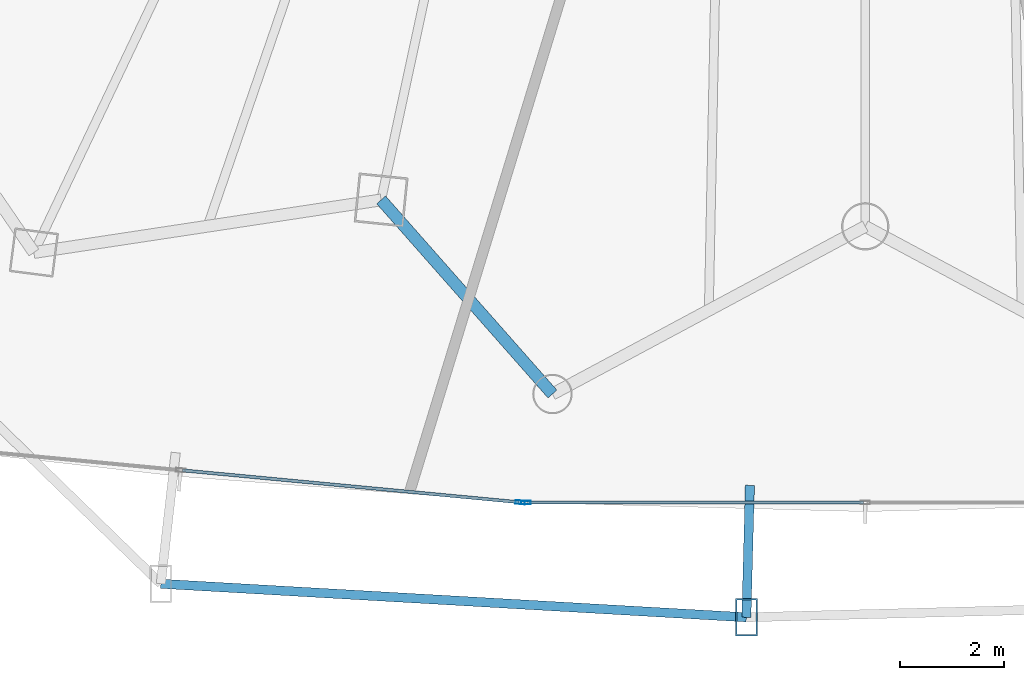
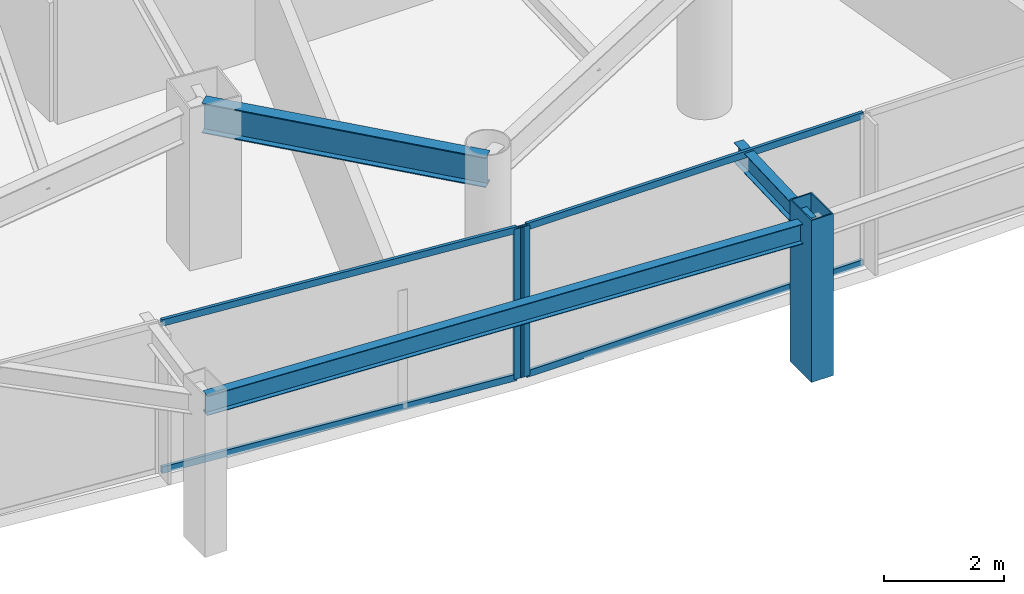
# One storey, part 6 of 38: 7 members, 3 beams, 2 elements without a shape of their own.
"""IFC4 building model written with IfcOpenShell, lengths in metres."""

from ifc_helpers import new_model, si_unit, direction, frame, origin, origin_2d, place, context, subcontext, project, spatial, hollow_rectangle, i_section, extrude, material, layer, layer_set, material_profile, profile_set, type_object, element, aggregate, save


model = new_model("IFC4")

# Units and contexts
model_context = context("Model", 3, precision=1e-05, world=origin(), true_north=direction((0.0, 1.0)))
body_context = subcontext(model_context, "Body", "Model", "MODEL_VIEW")
ifc_project = project(units=[si_unit("LENGTHUNIT", "METRE"), si_unit("AREAUNIT", "SQUARE_METRE"), si_unit("VOLUMEUNIT", "CUBIC_METRE"), si_unit("PLANEANGLEUNIT", "RADIAN"), si_unit("MASSUNIT", "GRAM", prefix="KILO")], contexts=[model_context])

# Site, building, storey
site_placement = place(None, origin())
site = spatial("IfcSite", under=ifc_project, at=site_placement, CompositionType="ELEMENT")
building_placement = place(site_placement, origin())
building = spatial("IfcBuilding", under=site, at=building_placement, Name="Orvanel Arch Residences", CompositionType="ELEMENT")
storey_placement = place(building_placement, frame((0.0, 0.0, 43.39990234375)))
storey = spatial("IfcBuildingStorey", under=building, at=storey_placement, Name="L11", CompositionType="ELEMENT", Elevation=43.39990234375)

# Member
ifc_material_1 = material(Name="Structural steel AS/NZS 3678 Grade 350", Category="steel")
ifc_material_profile_1 = material_profile(ifc_material_1, hollow_rectangle(XDim=0.419921875, YDim=0.719970703125, WallThickness=0.02490234375, at=origin_2d()), Name="RHS720x420x25")
ifc_profile_set_1 = profile_set([ifc_material_profile_1], Name="Structural steel AS/NZS 3678 Grade 350")
member_type_1 = type_object("IfcMemberType", Name="CH-720RHS-EXT", PredefinedType="CHORD", material=ifc_profile_set_1)
member_1_placement = place(storey_placement, frame((30.7041015625, -0.7080078125, 0.0), z_axis=(0.0, 0.0, 1.0), x_axis=(1.0, 0.0, 0.0)))
element("IfcMember", 1, at=member_1_placement, inside=storey, type_object=member_type_1, Name="L11 Outer Perimeter Frame Post 06", PredefinedType="CHORD", context=body_context, shape_type="SweptSolid", body=[
    extrude(hollow_rectangle(XDim=0.419921875, YDim=0.719970703125, WallThickness=0.02490234375, at=origin_2d()), origin(), (0.0, 0.0, 1.0), 3.300048828125),
])

# Curtain wall, member
ifc_material_2 = material(Name="Bronze-anodised aluminium AA6063-T6", Category="aluminium")
ifc_layer = layer(ifc_material_2, 0.179931640625)
ifc_layer_set = layer_set([ifc_layer], Name="Bronze-anodised aluminium AA6063-T6")
curtain_wall_type = type_object("IfcCurtainWallType", Name="CW2-LOW-SYS", PredefinedType="NOTDEFINED", material=ifc_layer_set)
curtain_wall_1_placement = place(storey_placement, origin())
curtain_wall_1 = element("IfcCurtainWall", 2, at=curtain_wall_1_placement, inside=storey, type_object=curtain_wall_type, Name="L11 CW2-LOW-SYS Unitised Curtain Wall", PredefinedType="NOTDEFINED")
ifc_material_profile_2 = material_profile(ifc_material_2, hollow_rectangle(XDim=0.070068359375, YDim=0.179931640625, WallThickness=0.00439453125, at=origin_2d()), Name="ALU180x70x4.5")
ifc_profile_set_2 = profile_set([ifc_material_profile_2], Name="Bronze-anodised aluminium AA6063-T6")
member_type_2 = type_object("IfcMemberType", Name="MUL-180x70", PredefinedType="MULLION", material=ifc_profile_set_2)
member_2_placement = place(storey_placement, frame((26.334228515625, 1.51318359375, 0.0), z_axis=(0.0, 0.0, 1.0), x_axis=(0.094246004419, 0.995548939355, 0.0)))
member_2 = element("IfcMember", 3, at=member_2_placement, type_object=member_type_2, Name="CW-S2 mullion 3", PredefinedType="MULLION", context=body_context, shape_type="SweptSolid", body=[
    extrude(hollow_rectangle(XDim=0.070068359375, YDim=0.179931640625, WallThickness=0.00439453125, at=origin_2d()), origin(), (0.0, 0.0, 1.0), 3.06005859375),
])

curtain_wall_2_placement = place(storey_placement, origin())
curtain_wall_2 = element("IfcCurtainWall", 4, at=curtain_wall_2_placement, inside=storey, type_object=curtain_wall_type, Name="L11 CW2-LOW-SYS Unitised Curtain Wall", PredefinedType="NOTDEFINED")
member_3_placement = place(storey_placement, frame((26.444091796875, 1.508056640625, 0.0), z_axis=(0.0, 0.0, 1.0), x_axis=(0.0, 1.0, 0.0)))
member_3 = element("IfcMember", 5, at=member_3_placement, type_object=member_type_2, Name="CW-S2 mullion 1", PredefinedType="MULLION", context=body_context, shape_type="SweptSolid", body=[
    extrude(hollow_rectangle(XDim=0.070068359375, YDim=0.179931640625, WallThickness=0.00439453125, at=origin_2d()), origin(), (0.0, 0.0, 1.0), 3.06005859375),
])

# Beams
ifc_material_3 = material(Name="Structural steel AS/NZS 3679.1 Grade 300 (300 MPa)", Category="steel")
ifc_material_profile_3 = material_profile(ifc_material_3, i_section(OverallWidth=0.177978515625, OverallDepth=0.406005859375, WebThickness=0.0078125, FlangeThickness=0.0126953125, at=origin_2d()), Name="410UB59.7")
ifc_profile_set_3 = profile_set([ifc_material_profile_3], Name="Structural steel AS/NZS 3679.1 Grade 300 (300 MPa)")
beam_type_1 = type_object("IfcBeamType", Name="OB-410UB-EXT", PredefinedType="SPANDREL", material=ifc_profile_set_3)
beam_1_placement = place(storey_placement, frame((19.39306640625, -0.06005859375, 2.857177734375), z_axis=(0.998363258929, -0.057190936525, 0.0), x_axis=(0.057190936525, 0.998363258929, 0.0)))
element("IfcBeam", 6, at=beam_1_placement, inside=storey, type_object=beam_type_1, Name="L11 Outer Perimeter Floor Ring Beam 05", PredefinedType="SPANDREL", context=body_context, shape_type="SweptSolid", body=[
    extrude(i_section(OverallWidth=0.177978515625, OverallDepth=0.406005859375, WebThickness=0.0078125, FlangeThickness=0.0126953125, at=origin_2d()), origin(), (0.0, 0.0, 1.0), 11.32958984375),
])
beam_2_placement = place(storey_placement, frame((30.77197265625, 1.842041015625, 2.857177734375), z_axis=(-0.026606183438, -0.999645992841, 0.0), x_axis=(0.999645992841, -0.026606183438, 0.0)))
element("IfcBeam", 7, at=beam_2_placement, inside=storey, type_object=beam_type_1, Name="L11 Outer Frame Radial Tie Beam 06", PredefinedType="SPANDREL", context=body_context, shape_type="SweptSolid", body=[
    extrude(i_section(OverallWidth=0.177978515625, OverallDepth=0.406005859375, WebThickness=0.0078125, FlangeThickness=0.0126953125, at=origin_2d()), origin(), (0.0, 0.0, 1.0), 2.551025390625),
])
ifc_material_profile_4 = material_profile(ifc_material_3, i_section(OverallWidth=0.22900390625, OverallDepth=0.612060546875, WebThickness=0.011962890625, FlangeThickness=0.01953125, at=origin_2d()), Name="610UB125")
ifc_profile_set_4 = profile_set([ifc_material_profile_4], Name="Structural steel AS/NZS 3679.1 Grade 300 (300 MPa)")
beam_type_2 = type_object("IfcBeamType", Name="SP-610UB", PredefinedType="SPANDREL", material=ifc_profile_set_4)
beam_3_placement = place(storey_placement, frame((23.64892578125, 7.35498046875, 2.754150390625), z_axis=(0.661650698195, -0.749812212209, 0.0), x_axis=(0.749812212209, 0.661650698195, 0.0)))
element("IfcBeam", 8, at=beam_3_placement, inside=storey, type_object=beam_type_2, Name="L11 Perimeter Spandrel Beam 05", PredefinedType="SPANDREL", context=body_context, shape_type="SweptSolid", body=[
    extrude(i_section(OverallWidth=0.22900390625, OverallDepth=0.612060546875, WebThickness=0.011962890625, FlangeThickness=0.01953125, at=origin_2d()), origin(), (0.0, 0.0, 1.0), 5.001220703125),
])

# Member
ifc_material_profile_5 = material_profile(ifc_material_2, hollow_rectangle(XDim=0.06005859375, YDim=0.135009765625, WallThickness=0.00390625, at=origin_2d()), Name="ALU135x60x4")
ifc_profile_set_5 = profile_set([ifc_material_profile_5], Name="Bronze-anodised aluminium AA6063-T6")
member_type_3 = type_object("IfcMemberType", Name="TRN-135x60", PredefinedType="USERDEFINED", material=ifc_profile_set_5)
member_4_placement = place(storey_placement, frame((19.812255859375, 2.130615234375, 0.030029296875), z_axis=(0.995550369367, -0.094230897556, 0.0), x_axis=(0.094230897556, 0.995550369367, 0.0)))
member_4 = element("IfcMember", 9, at=member_4_placement, type_object=member_type_3, Name="CW-S2 transom 2.1", ObjectType="TRANSOM", PredefinedType="USERDEFINED", context=body_context, shape_type="SweptSolid", body=[
    extrude(hollow_rectangle(XDim=0.06005859375, YDim=0.135009765625, WallThickness=0.00390625, at=origin_2d()), origin(), (0.0, 0.0, 1.0), 6.51611328125),
])

member_5_placement = place(storey_placement, frame((19.812255859375, 2.130615234375, 3.030029296875), z_axis=(0.995550369367, -0.094230897556, 0.0), x_axis=(0.094230897556, 0.995550369367, 0.0)))
member_5 = element("IfcMember", 10, at=member_5_placement, type_object=member_type_3, Name="CW-S2 transom 2.2", ObjectType="TRANSOM", PredefinedType="USERDEFINED", context=body_context, shape_type="SweptSolid", body=[
    extrude(hollow_rectangle(XDim=0.06005859375, YDim=0.135009765625, WallThickness=0.00390625, at=origin_2d()), origin(), (0.0, 0.0, 1.0), 6.51611328125),
])

aggregate(curtain_wall_1, [member_2, member_4, member_5])

member_6_placement = place(storey_placement, frame((26.47900390625, 1.508056640625, 0.030029296875), z_axis=(1.0, 0.0, 0.0), x_axis=(0.0, 1.0, 0.0)))
member_6 = element("IfcMember", 11, at=member_6_placement, type_object=member_type_3, Name="CW-S2 transom 1.1", ObjectType="TRANSOM", PredefinedType="USERDEFINED", context=body_context, shape_type="SweptSolid", body=[
    extrude(hollow_rectangle(XDim=0.06005859375, YDim=0.135009765625, WallThickness=0.00390625, at=origin_2d()), origin(), (0.0, 0.0, 1.0), 6.486083984375),
])

member_7_placement = place(storey_placement, frame((26.47900390625, 1.508056640625, 3.030029296875), z_axis=(1.0, 0.0, 0.0), x_axis=(0.0, 1.0, 0.0)))
member_7 = element("IfcMember", 12, at=member_7_placement, type_object=member_type_3, Name="CW-S2 transom 1.2", ObjectType="TRANSOM", PredefinedType="USERDEFINED", context=body_context, shape_type="SweptSolid", body=[
    extrude(hollow_rectangle(XDim=0.06005859375, YDim=0.135009765625, WallThickness=0.00390625, at=origin_2d()), origin(), (0.0, 0.0, 1.0), 6.486083984375),
])

aggregate(curtain_wall_2, [member_3, member_6, member_7])

save(model, "model.ifc")
